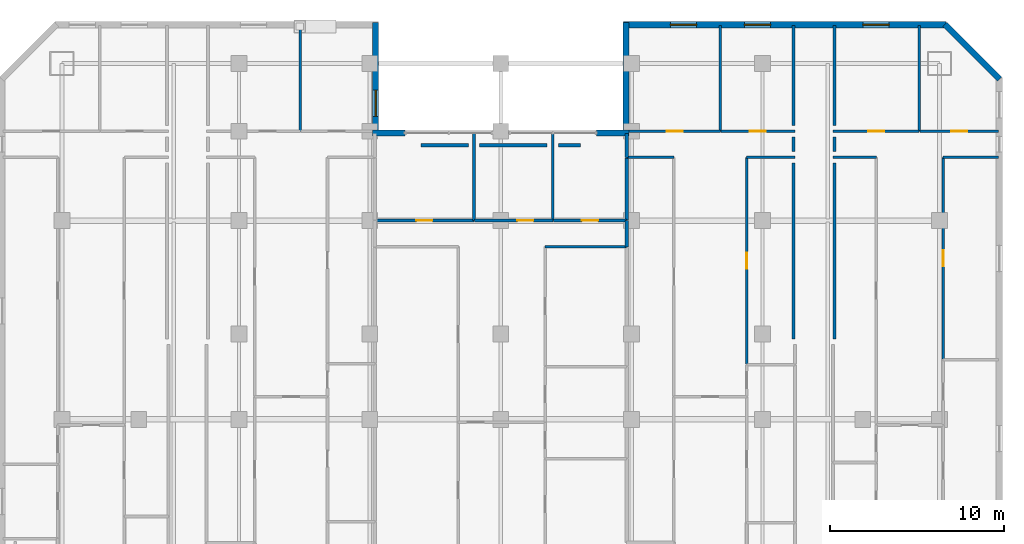
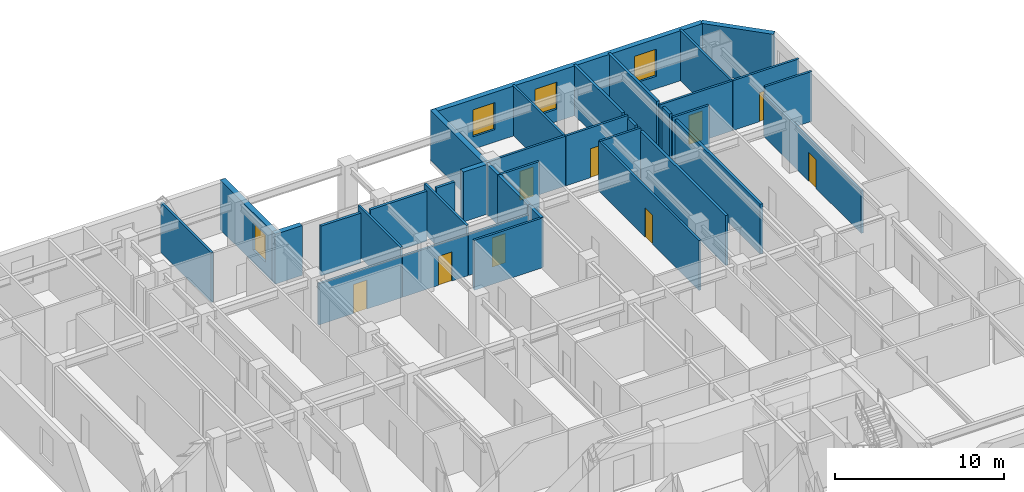
# One storey, part 12 of 14: 37 walls, 9 doors, 4 windows, 13 openings.
"""IFC4 building model written with IfcOpenShell, lengths in metres."""

from ifc_helpers import new_model, si_unit, direction, frame, frame_2d, origin, place, context, subcontext, project, spatial, rectangle, extrude, material, layer, layer_set, type_object, element, fill, save


model = new_model("IFC4")

# Units and contexts
model_context = context("Model", 3, precision=1e-05, world=origin(), true_north=direction((0.0, 1.0)))
body_context = subcontext(model_context, "Body", "Model", "MODEL_VIEW")
ifc_project = project(units=[si_unit("LENGTHUNIT", "METRE"), si_unit("AREAUNIT", "SQUARE_METRE"), si_unit("VOLUMEUNIT", "CUBIC_METRE"), si_unit("PLANEANGLEUNIT", "RADIAN"), si_unit("MASSUNIT", "GRAM", prefix="KILO")], contexts=[model_context])

# Site, building, storey
site_placement = place(None, origin())
site = spatial("IfcSite", under=ifc_project, at=site_placement, CompositionType="ELEMENT")
building_placement = place(site_placement, origin())
building = spatial("IfcBuilding", under=site, at=building_placement, Name="Ventersveld Concourse Tower", CompositionType="ELEMENT")
storey_placement = place(building_placement, frame((0.0, 0.0, 81.050048828125)))
storey = spatial("IfcBuildingStorey", under=building, at=storey_placement, Name="L19", CompositionType="ELEMENT", Elevation=81.050048828125)

# Walls
ifc_material_1 = material(Name="Fire-rated autoclaved aerated masonry blockwork", Category="masonry")
ifc_layer_1 = layer(ifc_material_1, 0.179931640625)
ifc_layer_set_1 = layer_set([ifc_layer_1], Name="Fire-rated autoclaved aerated masonry blockwork")
wall_type_1 = type_object("IfcWallType", Name="WL-CORR-180", PredefinedType="PARTITIONING", material=ifc_layer_set_1)
wall_1_placement = place(storey_placement, frame((47.8798828125, 38.945068359375, 0.0), z_axis=(0.0, 0.0, 1.0), x_axis=(0.0, 1.0, 0.0)))
element("IfcWall", 1, at=wall_1_placement, inside=storey, type_object=wall_type_1, Name="L19 Room Enclosure Wall SP-L19-19NE-LIV", PredefinedType="PARTITIONING", context=body_context, shape_type="SweptSolid", body=[
    extrude(rectangle(XDim=0.849853515625, YDim=0.179931640625, at=frame_2d((0.4248046875, 0.0))), origin(), (0.0, 0.0, 1.0), 3.599853515625),
])
wall_2_placement = place(storey_placement, frame((47.8798828125, 28.2099609375, 0.0), z_axis=(0.0, 0.0, 1.0), x_axis=(0.0, 1.0, 0.0)))
element("IfcWall", 2, at=wall_2_placement, inside=storey, type_object=wall_type_1, Name="L19 Room Enclosure Wall SP-L19-19NE-DENL", PredefinedType="PARTITIONING", context=body_context, shape_type="SweptSolid", body=[
    extrude(rectangle(XDim=10.0849609375, YDim=0.179931640625, at=frame_2d((5.04248046875, 0.0))), origin(), (0.0, 0.0, 1.0), 3.599853515625),
])
wall_3_placement = place(storey_placement, frame((47.8798828125, 40.445068359375, 0.0), z_axis=(0.0, 0.0, 1.0), x_axis=(0.0, 1.0, 0.0)))
element("IfcWall", 3, at=wall_3_placement, inside=storey, type_object=wall_type_1, Name="L19 Room Enclosure Wall SP-L19-19NE-BR1", PredefinedType="PARTITIONING", context=body_context, shape_type="SweptSolid", body=[
    extrude(rectangle(XDim=5.744873046875, YDim=0.179931640625, at=frame_2d((2.87255859375, 0.0))), origin(), (0.0, 0.0, 1.0), 3.599853515625),
])
wall_4_placement = place(storey_placement, frame((45.52001953125, 39.794921875, 0.0), z_axis=(0.0, 0.0, 1.0), x_axis=(0.0, -1.0, 0.0)))
element("IfcWall", 4, at=wall_4_placement, inside=storey, type_object=wall_type_1, Name="L19 Room Enclosure Wall SP-L19-19CE-LIV", PredefinedType="PARTITIONING", context=body_context, shape_type="SweptSolid", body=[
    extrude(rectangle(XDim=0.849853515625, YDim=0.179931640625, at=frame_2d((0.4248046875, 0.0))), origin(), (0.0, 0.0, 1.0), 3.599853515625),
])
wall_5_placement = place(storey_placement, frame((45.52001953125, 38.294921875, 0.0), z_axis=(0.0, 0.0, 1.0), x_axis=(0.0, -1.0, 0.0)))
element("IfcWall", 5, at=wall_5_placement, inside=storey, type_object=wall_type_1, Name="L19 Room Enclosure Wall SP-L19-19CE-DENS", PredefinedType="PARTITIONING", context=body_context, shape_type="SweptSolid", body=[
    extrude(rectangle(XDim=10.0849609375, YDim=0.179931640625, at=frame_2d((5.04248046875, 0.0))), origin(), (0.0, 0.0, 1.0), 3.599853515625),
])
wall_6_placement = place(storey_placement, frame((45.52001953125, 46.18994140625, 0.0), z_axis=(0.0, 0.0, 1.0), x_axis=(0.0, -1.0, 0.0)))
element("IfcWall", 6, at=wall_6_placement, inside=storey, type_object=wall_type_1, Name="L19 Room Enclosure Wall SP-L19-19CE-BR2", PredefinedType="PARTITIONING", context=body_context, shape_type="SweptSolid", body=[
    extrude(rectangle(XDim=5.744873046875, YDim=0.179931640625, at=frame_2d((2.87255859375, 0.0))), origin(), (0.0, 0.0, 1.0), 3.599853515625),
])
wall_7_placement = place(storey_placement, frame((24.1865234375, 39.320068359375, 0.0), z_axis=(0.0, 0.0, 1.0), x_axis=(1.0, 0.0, 0.0)))
element("IfcWall", 7, at=wall_7_placement, inside=storey, type_object=wall_type_1, Name="L19 Room Enclosure Wall SP-L19-19CM-BR1", PredefinedType="PARTITIONING", context=body_context, shape_type="SweptSolid", body=[
    extrude(rectangle(XDim=2.70263671875, YDim=0.179931640625, at=frame_2d((1.351318359375, 0.0))), origin(), (0.0, 0.0, 1.0), 3.599853515625),
])
wall_8_placement = place(storey_placement, frame((27.539306640625, 39.320068359375, 0.0), z_axis=(0.0, 0.0, 1.0), x_axis=(1.0, 0.0, 0.0)))
element("IfcWall", 8, at=wall_8_placement, inside=storey, type_object=wall_type_1, Name="L19 Room Enclosure Wall SP-L19-19CM-BR2", PredefinedType="PARTITIONING", context=body_context, shape_type="SweptSolid", body=[
    extrude(rectangle(XDim=3.867431640625, YDim=0.179931640625, at=frame_2d((1.93359375, 0.0))), origin(), (0.0, 0.0, 1.0), 3.599853515625),
])
wall_9_placement = place(storey_placement, frame((32.056640625, 39.320068359375, 0.0), z_axis=(0.0, 0.0, 1.0), x_axis=(1.0, 0.0, 0.0)))
element("IfcWall", 9, at=wall_9_placement, inside=storey, type_object=wall_type_1, Name="L19 Room Enclosure Wall SP-L19-19CM-BR3", PredefinedType="PARTITIONING", context=body_context, shape_type="SweptSolid", body=[
    extrude(rectangle(XDim=1.2568359375, YDim=0.179931640625, at=frame_2d((0.62841796875, 0.0))), origin(), (0.0, 0.0, 1.0), 3.599853515625),
])
ifc_layer_2 = layer(ifc_material_1, 0.199951171875)
ifc_layer_set_2 = layer_set([ifc_layer_2], Name="Fire-rated autoclaved aerated masonry blockwork")
wall_type_2 = type_object("IfcWallType", Name="WL-DEMISE-200", PredefinedType="PARTITIONING", material=ifc_layer_set_2)
wall_10_placement = place(storey_placement, frame((35.9599609375, 38.614990234375, 0.0), z_axis=(0.0, 0.0, 1.0), x_axis=(0.0, 1.0, 0.0)))
element("IfcWall", 10, at=wall_10_placement, inside=storey, type_object=wall_type_2, Name="L19 Interior Partition SP-L19-19CE-LIV-SP-L19-19CM-BR3", PredefinedType="PARTITIONING", context=body_context, shape_type="SweptSolid", body=[
    extrude(rectangle(XDim=1.375, YDim=0.199951171875, at=frame_2d((0.6875, 0.0))), origin(), (0.0, 0.0, 1.0), 3.599853515625),
])
wall_11_placement = place(storey_placement, frame((35.9599609375, 33.4951171875, 0.0), z_axis=(0.0, 0.0, 1.0), x_axis=(0.0, 1.0, 0.0)))
element("IfcWall", 11, at=wall_11_placement, inside=storey, type_object=wall_type_2, Name="L19 Interior Partition SP-L19-19CE-MEDL0-SP-L19-19CM-LIV", PredefinedType="PARTITIONING", context=body_context, shape_type="SweptSolid", body=[
    extrude(rectangle(XDim=1.509765625, YDim=0.199951171875, at=frame_2d((0.7548828125, 0.0))), origin(), (0.0, 0.0, 1.0), 3.599853515625),
])
wall_12_placement = place(storey_placement, frame((35.9599609375, 35.034912109375, 0.0), z_axis=(0.0, 0.0, 1.0), x_axis=(0.0, 1.0, 0.0)))
element("IfcWall", 12, at=wall_12_placement, inside=storey, type_object=wall_type_2, Name="L19 Interior Partition SP-L19-19CE-MEDL0-SP-L19-19CM-BR3", PredefinedType="PARTITIONING", context=body_context, shape_type="SweptSolid", body=[
    extrude(rectangle(XDim=3.550048828125, YDim=0.199951171875, at=frame_2d((1.77490234375, 0.0))), origin(), (0.0, 0.0, 1.0), 3.599853515625),
])
ifc_material_2 = material(Name="Autoclaved aerated masonry blockwork", Category="masonry")
ifc_layer_3 = layer(ifc_material_2, 0.14990234375)
ifc_layer_set_3 = layer_set([ifc_layer_3], Name="Autoclaved aerated masonry blockwork")
wall_type_3 = type_object("IfcWallType", Name="WL-INT-150", PredefinedType="PARTITIONING", material=ifc_layer_set_3)
wall_13_placement = place(storey_placement, frame((47.784912109375, 38.6201171875, 0.0), z_axis=(0.0, 0.0, 1.0), x_axis=(1.0, 0.0, 0.0)))
element("IfcWall", 13, at=wall_13_placement, inside=storey, type_object=wall_type_3, Name="L19 Interior Partition SP-L19-19NE-LIV-SP-L19-19NE-DENL", PredefinedType="PARTITIONING", context=body_context, shape_type="SweptSolid", body=[
    extrude(rectangle(XDim=2.5029296875, YDim=0.14990234375, at=frame_2d((1.25146484375, 0.0))), origin(), (0.0, 0.0, 1.0), 3.599853515625),
])

# Wall, opening, door
wall_14_placement = place(storey_placement, frame((54.104736328125, 27.06396484375, 0.0), z_axis=(0.0, 0.0, 1.0), x_axis=(0.0, 1.0, 0.0)))
wall_14 = element("IfcWall", 14, at=wall_14_placement, inside=storey, type_object=wall_type_3, Name="L19 Interior Partition SP-L19-19NE-LIV-SP-L19-19NE-DENS", PredefinedType="PARTITIONING", context=body_context, shape_type="SweptSolid", body=[
    extrude(rectangle(XDim=11.56103515625, YDim=0.14990234375, at=frame_2d((5.780517578125, 0.0))), origin(), (0.0, 0.0, 1.0), 3.055419921875),
])
opening_1_placement = place(wall_14_placement, frame((5.320556640625, 0.0, 0.0)))
opening_1 = element("IfcOpeningElement", 15, at=opening_1_placement, cuts=wall_14, Name="Opening ID1", PredefinedType="OPENING", context=body_context, shape_type="SweptSolid", body=[
    extrude(rectangle(XDim=0.919921875, YDim=2.10009765625, at=frame_2d((0.4599609375, 1.050048828125))), frame((0.0, 0.0849609375, 0.0), z_axis=(0.0, -1.0, 0.0), x_axis=(1.0, 0.0, 0.0)), (0.0, 0.0, 1.0), 0.169921875),
])
ifc_material_3 = material(Name="Solid-core hardwood veneer timber", Category="wood")
door_type = type_object("IfcDoorType", Name="DR-ROOM-092", OperationType="NOTDEFINED", PredefinedType="DOOR", material=ifc_material_3)
door_1_placement = place(opening_1_placement, origin())
door_1 = element("IfcDoor", 16, at=door_1_placement, inside=storey, type_object=door_type, Name="L19 Interior Door SP-L19-19NE-LIV to SP-L19-19NE-DENS (D-L19-0908)", OperationType="SINGLE_SWING_RIGHT", OverallHeight=2.10009765625, OverallWidth=0.919921875, PredefinedType="DOOR", context=body_context, shape_type="SweptSolid", body=[
    extrude(rectangle(XDim=0.919921875, YDim=2.10009765625, at=frame_2d((0.4599609375, 1.050048828125))), frame((0.0, 0.02490234375, 0.0), z_axis=(0.0, -1.0, 0.0), x_axis=(1.0, 0.0, 0.0)), (0.0, 0.0, 1.0), 0.050048828125),
])
fill(opening_1, door_1)

# Wall
wall_15_placement = place(storey_placement, frame((54.099853515625, 38.6201171875, 0.0), z_axis=(0.0, 0.0, 1.0), x_axis=(1.0, 0.0, 0.0)))
element("IfcWall", 17, at=wall_15_placement, inside=storey, type_object=wall_type_3, Name="L19 Interior Partition SP-L19-19NE-LIV-SP-L19-19NE-DENS", PredefinedType="PARTITIONING", context=body_context, shape_type="SweptSolid", body=[
    extrude(rectangle(XDim=3.190185546875, YDim=0.14990234375, at=frame_2d((1.59521484375, 0.0))), origin(), (0.0, 0.0, 1.0), 3.599853515625),
])

# Wall, opening, door
wall_16_placement = place(storey_placement, frame((47.784912109375, 40.1201171875, 0.0), z_axis=(0.0, 0.0, 1.0), x_axis=(1.0, 0.0, 0.0)))
wall_16 = element("IfcWall", 18, at=wall_16_placement, inside=storey, type_object=wall_type_3, Name="L19 Interior Partition SP-L19-19NE-LIV-SP-L19-19NE-BR1", PredefinedType="PARTITIONING", context=body_context, shape_type="SweptSolid", body=[
    extrude(rectangle(XDim=4.951171875, YDim=0.14990234375, at=frame_2d((2.4755859375, 0.0))), origin(), (0.0, 0.0, 1.0), 3.599853515625),
])
opening_2_placement = place(wall_16_placement, frame((2.015625, 0.0, 0.0)))
opening_2 = element("IfcOpeningElement", 19, at=opening_2_placement, cuts=wall_16, Name="Opening ID1", PredefinedType="OPENING", context=body_context, shape_type="SweptSolid", body=[
    extrude(rectangle(XDim=0.919921875, YDim=2.10009765625, at=frame_2d((0.4599609375, 1.050048828125))), frame((0.0, 0.0849609375, 0.0), z_axis=(0.0, -1.0, 0.0), x_axis=(1.0, 0.0, 0.0)), (0.0, 0.0, 1.0), 0.169921875),
])
door_2_placement = place(opening_2_placement, origin())
door_2 = element("IfcDoor", 20, at=door_2_placement, inside=storey, type_object=door_type, Name="L19 Interior Door SP-L19-19NE-LIV to SP-L19-19NE-BR1 (D-L19-0909)", OperationType="SINGLE_SWING_LEFT", OverallHeight=2.10009765625, OverallWidth=0.919921875, PredefinedType="DOOR", context=body_context, shape_type="SweptSolid", body=[
    extrude(rectangle(XDim=0.919921875, YDim=2.10009765625, at=frame_2d((0.4599609375, 1.050048828125))), frame((0.0, 0.02490234375, 0.0), z_axis=(0.0, -1.0, 0.0), x_axis=(1.0, 0.0, 0.0)), (0.0, 0.0, 1.0), 0.050048828125),
])
fill(opening_2, door_2)

wall_17_placement = place(storey_placement, frame((52.76611328125, 40.1201171875, 0.0), z_axis=(0.0, 0.0, 1.0), x_axis=(1.0, 0.0, 0.0)))
wall_17 = element("IfcWall", 21, at=wall_17_placement, inside=storey, type_object=wall_type_3, Name="L19 Interior Partition SP-L19-19NE-LIV-SP-L19-19NE-BR2", PredefinedType="PARTITIONING", context=body_context, shape_type="SweptSolid", body=[
    extrude(rectangle(XDim=4.52392578125, YDim=0.14990234375, at=frame_2d((2.261962890625, 0.0))), origin(), (0.0, 0.0, 1.0), 3.599853515625),
])
opening_3_placement = place(wall_17_placement, frame((1.802001953125, 0.0, 0.0)))
opening_3 = element("IfcOpeningElement", 22, at=opening_3_placement, cuts=wall_17, Name="Opening ID1", PredefinedType="OPENING", context=body_context, shape_type="SweptSolid", body=[
    extrude(rectangle(XDim=0.919921875, YDim=2.10009765625, at=frame_2d((0.4599609375, 1.050048828125))), frame((0.0, 0.0849609375, 0.0), z_axis=(0.0, -1.0, 0.0), x_axis=(1.0, 0.0, 0.0)), (0.0, 0.0, 1.0), 0.169921875),
])
door_3_placement = place(opening_3_placement, origin())
door_3 = element("IfcDoor", 23, at=door_3_placement, inside=storey, type_object=door_type, Name="L19 Interior Door SP-L19-19NE-LIV to SP-L19-19NE-BR2 (D-L19-0910)", OperationType="SINGLE_SWING_RIGHT", OverallHeight=2.10009765625, OverallWidth=0.919921875, PredefinedType="DOOR", context=body_context, shape_type="SweptSolid", body=[
    extrude(rectangle(XDim=0.919921875, YDim=2.10009765625, at=frame_2d((0.4599609375, 1.050048828125))), frame((0.0, 0.02490234375, 0.0), z_axis=(0.0, -1.0, 0.0), x_axis=(1.0, 0.0, 0.0)), (0.0, 0.0, 1.0), 0.050048828125),
])
fill(opening_3, door_3)

# Walls
wall_18_placement = place(storey_placement, frame((52.731201171875, 40.114990234375, 0.0), z_axis=(0.0, 0.0, 1.0), x_axis=(0.0, 1.0, 0.0)))
element("IfcWall", 24, at=wall_18_placement, inside=storey, type_object=wall_type_3, Name="L19 Interior Partition SP-L19-19NE-BR1-SP-L19-19NE-BR2", PredefinedType="PARTITIONING", context=body_context, shape_type="SweptSolid", body=[
    extrude(rectangle(XDim=6.074951171875, YDim=0.14990234375, at=frame_2d((3.03759765625, 0.0))), origin(), (0.0, 0.0, 1.0), 3.599853515625),
])
wall_19_placement = place(storey_placement, frame((17.261474609375, 40.114990234375, 0.0), z_axis=(0.0, 0.0, 1.0), x_axis=(0.0, 1.0, 0.0)))
element("IfcWall", 25, at=wall_19_placement, inside=storey, type_object=wall_type_3, Name="L19 Interior Partition SP-L19-19CW-BR1-SP-L19-19CW-BR2", PredefinedType="PARTITIONING", context=body_context, shape_type="SweptSolid", body=[
    extrude(rectangle(XDim=5.987060546875, YDim=0.14990234375, at=frame_2d((2.99365234375, 0.0))), origin(), (0.0, 0.0, 1.0), 3.599853515625),
])
wall_20_placement = place(storey_placement, frame((35.955078125, 38.6201171875, 0.0), z_axis=(0.0, 0.0, 1.0), x_axis=(1.0, 0.0, 0.0)))
element("IfcWall", 26, at=wall_20_placement, inside=storey, type_object=wall_type_3, Name="L19 Interior Partition SP-L19-19CE-LIV-SP-L19-19CE-MEDL0", PredefinedType="PARTITIONING", context=body_context, shape_type="SweptSolid", body=[
    extrude(rectangle(XDim=2.72705078125, YDim=0.14990234375, at=frame_2d((1.363525390625, 0.0))), origin(), (0.0, 0.0, 1.0), 3.599853515625),
])

# Wall, opening, door
wall_21_placement = place(storey_placement, frame((42.853515625, 26.764892578125, 0.0), z_axis=(0.0, 0.0, 1.0), x_axis=(0.0, 1.0, 0.0)))
wall_21 = element("IfcWall", 27, at=wall_21_placement, inside=storey, type_object=wall_type_3, Name="L19 Interior Partition SP-L19-19CE-LIV-SP-L19-19CE-DENS", PredefinedType="PARTITIONING", context=body_context, shape_type="SweptSolid", body=[
    extrude(rectangle(XDim=11.860107421875, YDim=0.14990234375, at=frame_2d((5.93017578125, 0.0))), origin(), (0.0, 0.0, 1.0), 3.599853515625),
])
opening_4_placement = place(wall_21_placement, frame((5.469970703125, 0.0, 0.0)))
opening_4 = element("IfcOpeningElement", 28, at=opening_4_placement, cuts=wall_21, Name="Opening ID1", PredefinedType="OPENING", context=body_context, shape_type="SweptSolid", body=[
    extrude(rectangle(XDim=0.919921875, YDim=2.10009765625, at=frame_2d((0.4599609375, 1.050048828125))), frame((0.0, 0.0849609375, 0.0), z_axis=(0.0, -1.0, 0.0), x_axis=(1.0, 0.0, 0.0)), (0.0, 0.0, 1.0), 0.169921875),
])
door_4_placement = place(opening_4_placement, origin())
door_4 = element("IfcDoor", 29, at=door_4_placement, inside=storey, type_object=door_type, Name="L19 Interior Door SP-L19-19CE-LIV to SP-L19-19CE-DENS (D-L19-0928)", OperationType="SINGLE_SWING_RIGHT", OverallHeight=2.10009765625, OverallWidth=0.919921875, PredefinedType="DOOR", context=body_context, shape_type="SweptSolid", body=[
    extrude(rectangle(XDim=0.919921875, YDim=2.10009765625, at=frame_2d((0.4599609375, 1.050048828125))), frame((0.0, 0.02490234375, 0.0), z_axis=(0.0, -1.0, 0.0), x_axis=(1.0, 0.0, 0.0)), (0.0, 0.0, 1.0), 0.050048828125),
])
fill(opening_4, door_4)

# Wall
wall_22_placement = place(storey_placement, frame((42.848388671875, 38.6201171875, 0.0), z_axis=(0.0, 0.0, 1.0), x_axis=(1.0, 0.0, 0.0)))
element("IfcWall", 30, at=wall_22_placement, inside=storey, type_object=wall_type_3, Name="L19 Interior Partition SP-L19-19CE-LIV-SP-L19-19CE-DENS", PredefinedType="PARTITIONING", context=body_context, shape_type="SweptSolid", body=[
    extrude(rectangle(XDim=2.7666015625, YDim=0.14990234375, at=frame_2d((1.38330078125, 0.0))), origin(), (0.0, 0.0, 1.0), 3.599853515625),
])

# Wall, opening, door
wall_23_placement = place(storey_placement, frame((36.106689453125, 40.1201171875, 0.0), z_axis=(0.0, 0.0, 1.0), x_axis=(1.0, 0.0, 0.0)))
wall_23 = element("IfcWall", 31, at=wall_23_placement, inside=storey, type_object=wall_type_3, Name="L19 Interior Partition SP-L19-19CE-LIV-SP-L19-19CE-BR1", PredefinedType="PARTITIONING", context=body_context, shape_type="SweptSolid", body=[
    extrude(rectangle(XDim=5.229736328125, YDim=0.14990234375, at=frame_2d((2.61474609375, 0.0))), origin(), (0.0, 0.0, 1.0), 3.599853515625),
])
opening_5_placement = place(wall_23_placement, frame((2.15478515625, 0.0, 0.0)))
opening_5 = element("IfcOpeningElement", 32, at=opening_5_placement, cuts=wall_23, Name="Opening ID1", PredefinedType="OPENING", context=body_context, shape_type="SweptSolid", body=[
    extrude(rectangle(XDim=0.919921875, YDim=2.10009765625, at=frame_2d((0.4599609375, 1.050048828125))), frame((0.0, 0.0849609375, 0.0), z_axis=(0.0, -1.0, 0.0), x_axis=(1.0, 0.0, 0.0)), (0.0, 0.0, 1.0), 0.169921875),
])
door_5_placement = place(opening_5_placement, origin())
door_5 = element("IfcDoor", 33, at=door_5_placement, inside=storey, type_object=door_type, Name="L19 Interior Door SP-L19-19CE-LIV to SP-L19-19CE-BR1 (D-L19-0929)", OperationType="SINGLE_SWING_LEFT", OverallHeight=2.10009765625, OverallWidth=0.919921875, PredefinedType="DOOR", context=body_context, shape_type="SweptSolid", body=[
    extrude(rectangle(XDim=0.919921875, YDim=2.10009765625, at=frame_2d((0.4599609375, 1.050048828125))), frame((0.0, 0.02490234375, 0.0), z_axis=(0.0, -1.0, 0.0), x_axis=(1.0, 0.0, 0.0)), (0.0, 0.0, 1.0), 0.050048828125),
])
fill(opening_5, door_5)

wall_24_placement = place(storey_placement, frame((41.366455078125, 40.1201171875, 0.0), z_axis=(0.0, 0.0, 1.0), x_axis=(1.0, 0.0, 0.0)))
wall_24 = element("IfcWall", 34, at=wall_24_placement, inside=storey, type_object=wall_type_3, Name="L19 Interior Partition SP-L19-19CE-LIV-SP-L19-19CE-BR2", PredefinedType="PARTITIONING", context=body_context, shape_type="SweptSolid", body=[
    extrude(rectangle(XDim=4.24853515625, YDim=0.14990234375, at=frame_2d((2.124267578125, 0.0))), origin(), (0.0, 0.0, 1.0), 3.599853515625),
])
opening_6_placement = place(wall_24_placement, frame((1.664306640625, 0.0, 0.0)))
opening_6 = element("IfcOpeningElement", 35, at=opening_6_placement, cuts=wall_24, Name="Opening ID1", PredefinedType="OPENING", context=body_context, shape_type="SweptSolid", body=[
    extrude(rectangle(XDim=0.919921875, YDim=2.10009765625, at=frame_2d((0.4599609375, 1.050048828125))), frame((0.0, 0.0849609375, 0.0), z_axis=(0.0, -1.0, 0.0), x_axis=(1.0, 0.0, 0.0)), (0.0, 0.0, 1.0), 0.169921875),
])
door_6_placement = place(opening_6_placement, origin())
door_6 = element("IfcDoor", 36, at=door_6_placement, inside=storey, type_object=door_type, Name="L19 Interior Door SP-L19-19CE-LIV to SP-L19-19CE-BR2 (D-L19-0930)", OperationType="SINGLE_SWING_RIGHT", OverallHeight=2.10009765625, OverallWidth=0.919921875, PredefinedType="DOOR", context=body_context, shape_type="SweptSolid", body=[
    extrude(rectangle(XDim=0.919921875, YDim=2.10009765625, at=frame_2d((0.4599609375, 1.050048828125))), frame((0.0, 0.02490234375, 0.0), z_axis=(0.0, -1.0, 0.0), x_axis=(1.0, 0.0, 0.0)), (0.0, 0.0, 1.0), 0.050048828125),
])
fill(opening_6, door_6)

# Walls
wall_25_placement = place(storey_placement, frame((41.33154296875, 40.114990234375, 0.0), z_axis=(0.0, 0.0, 1.0), x_axis=(0.0, 1.0, 0.0)))
element("IfcWall", 37, at=wall_25_placement, inside=storey, type_object=wall_type_3, Name="L19 Interior Partition SP-L19-19CE-BR1-SP-L19-19CE-BR2", PredefinedType="PARTITIONING", context=body_context, shape_type="SweptSolid", body=[
    extrude(rectangle(XDim=6.074951171875, YDim=0.14990234375, at=frame_2d((3.03759765625, 0.0))), origin(), (0.0, 0.0, 1.0), 3.599853515625),
])
wall_26_placement = place(storey_placement, frame((31.294189453125, 33.5, 0.0), z_axis=(0.0, 0.0, 1.0), x_axis=(1.0, 0.0, 0.0)))
element("IfcWall", 38, at=wall_26_placement, inside=storey, type_object=wall_type_3, Name="L19 Interior Partition SP-L19-19CM-LIV-SP-L19-19CM-DENS2", PredefinedType="PARTITIONING", context=body_context, shape_type="SweptSolid", body=[
    extrude(rectangle(XDim=4.6708984375, YDim=0.14990234375, at=frame_2d((2.33544921875, 0.0))), origin(), (0.0, 0.0, 1.0), 3.599853515625),
])

# Wall, opening, door
wall_27_placement = place(storey_placement, frame((21.534912109375, 35.0, 0.0), z_axis=(0.0, 0.0, 1.0), x_axis=(1.0, 0.0, 0.0)))
wall_27 = element("IfcWall", 39, at=wall_27_placement, inside=storey, type_object=wall_type_3, Name="L19 Interior Partition SP-L19-19CM-LIV-SP-L19-19CM-BR1", PredefinedType="PARTITIONING", context=body_context, shape_type="SweptSolid", body=[
    extrude(rectangle(XDim=5.684326171875, YDim=0.14990234375, at=frame_2d((2.84228515625, 0.0))), origin(), (0.0, 0.0, 1.0), 2.964111328125),
])
opening_7_placement = place(wall_27_placement, frame((2.382080078125, 0.0, 0.0)))
opening_7 = element("IfcOpeningElement", 40, at=opening_7_placement, cuts=wall_27, Name="Opening ID1", PredefinedType="OPENING", context=body_context, shape_type="SweptSolid", body=[
    extrude(rectangle(XDim=0.919921875, YDim=2.10009765625, at=frame_2d((0.4599609375, 1.050048828125))), frame((0.0, 0.0849609375, 0.0), z_axis=(0.0, -1.0, 0.0), x_axis=(1.0, 0.0, 0.0)), (0.0, 0.0, 1.0), 0.169921875),
])
door_7_placement = place(opening_7_placement, origin())
door_7 = element("IfcDoor", 41, at=door_7_placement, inside=storey, type_object=door_type, Name="L19 Interior Door SP-L19-19CM-LIV to SP-L19-19CM-BR1 (D-L19-0940)", OperationType="SINGLE_SWING_RIGHT", OverallHeight=2.10009765625, OverallWidth=0.919921875, PredefinedType="DOOR", context=body_context, shape_type="SweptSolid", body=[
    extrude(rectangle(XDim=0.919921875, YDim=2.10009765625, at=frame_2d((0.4599609375, 1.050048828125))), frame((0.0, 0.02490234375, 0.0), z_axis=(0.0, -1.0, 0.0), x_axis=(1.0, 0.0, 0.0)), (0.0, 0.0, 1.0), 0.050048828125),
])
fill(opening_7, door_7)

wall_28_placement = place(storey_placement, frame((27.249267578125, 35.0, 0.0), z_axis=(0.0, 0.0, 1.0), x_axis=(1.0, 0.0, 0.0)))
wall_28 = element("IfcWall", 42, at=wall_28_placement, inside=storey, type_object=wall_type_3, Name="L19 Interior Partition SP-L19-19CM-LIV-SP-L19-19CM-BR2", PredefinedType="PARTITIONING", context=body_context, shape_type="SweptSolid", body=[
    extrude(rectangle(XDim=4.487548828125, YDim=0.14990234375, at=frame_2d((2.24365234375, 0.0))), origin(), (0.0, 0.0, 1.0), 2.964111328125),
])
opening_8_placement = place(wall_28_placement, frame((2.456787109375, 0.0, 0.0)))
opening_8 = element("IfcOpeningElement", 43, at=opening_8_placement, cuts=wall_28, Name="Opening ID1", PredefinedType="OPENING", context=body_context, shape_type="SweptSolid", body=[
    extrude(rectangle(XDim=0.919921875, YDim=2.10009765625, at=frame_2d((0.4599609375, 1.050048828125))), frame((0.0, 0.0849609375, 0.0), z_axis=(0.0, -1.0, 0.0), x_axis=(1.0, 0.0, 0.0)), (0.0, 0.0, 1.0), 0.169921875),
])
door_8_placement = place(opening_8_placement, origin())
door_8 = element("IfcDoor", 44, at=door_8_placement, inside=storey, type_object=door_type, Name="L19 Interior Door SP-L19-19CM-LIV to SP-L19-19CM-BR2 (D-L19-0941)", OperationType="SINGLE_SWING_LEFT", OverallHeight=2.10009765625, OverallWidth=0.919921875, PredefinedType="DOOR", context=body_context, shape_type="SweptSolid", body=[
    extrude(rectangle(XDim=0.919921875, YDim=2.10009765625, at=frame_2d((0.4599609375, 1.050048828125))), frame((0.0, 0.02490234375, 0.0), z_axis=(0.0, -1.0, 0.0), x_axis=(1.0, 0.0, 0.0)), (0.0, 0.0, 1.0), 0.050048828125),
])
fill(opening_8, door_8)

wall_29_placement = place(storey_placement, frame((31.7666015625, 35.0, 0.0), z_axis=(0.0, 0.0, 1.0), x_axis=(1.0, 0.0, 0.0)))
wall_29 = element("IfcWall", 45, at=wall_29_placement, inside=storey, type_object=wall_type_3, Name="L19 Interior Partition SP-L19-19CM-LIV-SP-L19-19CM-BR3", PredefinedType="PARTITIONING", context=body_context, shape_type="SweptSolid", body=[
    extrude(rectangle(XDim=4.198486328125, YDim=0.14990234375, at=frame_2d((2.09912109375, 0.0))), origin(), (0.0, 0.0, 1.0), 2.964111328125),
])
opening_9_placement = place(wall_29_placement, frame((1.63916015625, 0.0, 0.0)))
opening_9 = element("IfcOpeningElement", 46, at=opening_9_placement, cuts=wall_29, Name="Opening ID1", PredefinedType="OPENING", context=body_context, shape_type="SweptSolid", body=[
    extrude(rectangle(XDim=0.919921875, YDim=2.10009765625, at=frame_2d((0.4599609375, 1.050048828125))), frame((0.0, 0.0849609375, 0.0), z_axis=(0.0, -1.0, 0.0), x_axis=(1.0, 0.0, 0.0)), (0.0, 0.0, 1.0), 0.169921875),
])
door_9_placement = place(opening_9_placement, origin())
door_9 = element("IfcDoor", 47, at=door_9_placement, inside=storey, type_object=door_type, Name="L19 Interior Door SP-L19-19CM-LIV to SP-L19-19CM-BR3 (D-L19-0942)", OperationType="SINGLE_SWING_RIGHT", OverallHeight=2.10009765625, OverallWidth=0.919921875, PredefinedType="DOOR", context=body_context, shape_type="SweptSolid", body=[
    extrude(rectangle(XDim=0.919921875, YDim=2.10009765625, at=frame_2d((0.4599609375, 1.050048828125))), frame((0.0, 0.02490234375, 0.0), z_axis=(0.0, -1.0, 0.0), x_axis=(1.0, 0.0, 0.0)), (0.0, 0.0, 1.0), 0.050048828125),
])
fill(opening_9, door_9)

# Walls
wall_30_placement = place(storey_placement, frame((27.214111328125, 34.9951171875, 0.0), z_axis=(0.0, 0.0, 1.0), x_axis=(0.0, 1.0, 0.0)))
element("IfcWall", 48, at=wall_30_placement, inside=storey, type_object=wall_type_3, Name="L19 Interior Partition SP-L19-19CM-BR1-SP-L19-19CM-BR2", PredefinedType="PARTITIONING", context=body_context, shape_type="SweptSolid", body=[
    extrude(rectangle(XDim=5.011962890625, YDim=0.14990234375, at=frame_2d((2.505859375, 0.0))), origin(), (0.0, 0.0, 1.0), 3.599853515625),
])
wall_31_placement = place(storey_placement, frame((31.731689453125, 34.9951171875, 0.0), z_axis=(0.0, 0.0, 1.0), x_axis=(0.0, 1.0, 0.0)))
element("IfcWall", 49, at=wall_31_placement, inside=storey, type_object=wall_type_3, Name="L19 Interior Partition SP-L19-19CM-BR2-SP-L19-19CM-BR3", PredefinedType="PARTITIONING", context=body_context, shape_type="SweptSolid", body=[
    extrude(rectangle(XDim=5.00634765625, YDim=0.14990234375, at=frame_2d((2.503173828125, 0.0))), origin(), (0.0, 0.0, 1.0), 3.599853515625),
])
ifc_material_4 = material(Name="Precast concrete C45/55", Category="concrete")
ifc_layer_4 = layer(ifc_material_4, 0.35009765625)
ifc_layer_set_4 = layer_set([ifc_layer_4], Name="Precast concrete C45/55")
wall_type_4 = type_object("IfcWallType", Name="WL-PREC-350", PredefinedType="SOLIDWALL", material=ifc_layer_set_4)
wall_32_placement = place(storey_placement, frame((57.347900390625, 43.1044921875, 0.0), z_axis=(0.0, 0.0, 1.0), x_axis=(-0.707079321262, 0.707134240044, 0.0)))
element("IfcWall", 50, at=wall_32_placement, inside=storey, type_object=wall_type_4, Name="L19 Highveld Precast Facade Wall E04", PredefinedType="SOLIDWALL", context=body_context, shape_type="SweptSolid", body=[
    extrude(rectangle(XDim=4.445556640625, YDim=0.35009765625, at=frame_2d((2.22265625, 0.0))), origin(), (0.0, 0.0, 1.0), 3.599853515625),
])

# Wall, openings, windows
wall_33_placement = place(storey_placement, frame((54.260009765625, 46.22509765625, 0.0), z_axis=(0.0, 0.0, 1.0), x_axis=(-1.0, 0.0, 0.0)))
wall_33 = element("IfcWall", 51, at=wall_33_placement, inside=storey, type_object=wall_type_4, Name="L19 Highveld Precast Facade Wall E05", PredefinedType="SOLIDWALL", context=body_context, shape_type="SweptSolid", body=[
    extrude(rectangle(XDim=18.469970703125, YDim=0.35009765625, at=frame_2d((9.23486328125, 0.0))), origin(), (0.0, 0.0, 1.0), 3.599853515625),
])
opening_10_placement = place(wall_33_placement, frame((3.24951171875, 0.0, 0.89990234375)))
opening_10 = element("IfcOpeningElement", 52, at=opening_10_placement, cuts=wall_33, Name="Opening W1", PredefinedType="OPENING", context=body_context, shape_type="SweptSolid", body=[
    extrude(rectangle(XDim=1.5, YDim=1.949951171875, at=frame_2d((0.75, 0.97509765625))), frame((0.0, 0.18505859375, 0.0), z_axis=(0.0, -1.0, 0.0), x_axis=(1.0, 0.0, 0.0)), (0.0, 0.0, 1.0), 0.3701171875),
])
opening_11_placement = place(wall_33_placement, frame((14.28173828125, 0.0, 0.89990234375)))
opening_11 = element("IfcOpeningElement", 53, at=opening_11_placement, cuts=wall_33, Name="Opening W1", PredefinedType="OPENING", context=body_context, shape_type="SweptSolid", body=[
    extrude(rectangle(XDim=1.5, YDim=1.949951171875, at=frame_2d((0.75, 0.97509765625))), frame((0.0, 0.18505859375, 0.0), z_axis=(0.0, -1.0, 0.0), x_axis=(1.0, 0.0, 0.0)), (0.0, 0.0, 1.0), 0.3701171875),
])
opening_12_placement = place(wall_33_placement, frame((10.039306640625, 0.0, 0.89990234375)))
opening_12 = element("IfcOpeningElement", 54, at=opening_12_placement, cuts=wall_33, Name="Opening W1", PredefinedType="OPENING", context=body_context, shape_type="SweptSolid", body=[
    extrude(rectangle(XDim=1.5, YDim=1.949951171875, at=frame_2d((0.75, 0.97509765625))), frame((0.0, 0.18505859375, 0.0), z_axis=(0.0, -1.0, 0.0), x_axis=(1.0, 0.0, 0.0)), (0.0, 0.0, 1.0), 0.3701171875),
])
ifc_material_5 = material(Name="Tempered acoustic Low-E IGU", Category="glass")
window_type = type_object("IfcWindowType", Name="WIN-150x210", PartitioningType="SINGLE_PANEL", PredefinedType="WINDOW", material=ifc_material_5)
window_1_placement = place(opening_10_placement, origin())
window_1 = element("IfcWindow", 55, at=window_1_placement, inside=storey, type_object=window_type, Name="L19 Punched Low-E Window W-0200", OverallHeight=1.949951171875, OverallWidth=1.5, PartitioningType="SINGLE_PANEL", PredefinedType="WINDOW", context=body_context, shape_type="SweptSolid", body=[
    extrude(rectangle(XDim=1.5, YDim=1.949951171875, at=frame_2d((0.75, 0.97509765625))), frame((0.0, 0.030029296875, 0.0), z_axis=(0.0, -1.0, 0.0), x_axis=(1.0, 0.0, 0.0)), (0.0, 0.0, 1.0), 0.06005859375),
])
fill(opening_10, window_1)
window_2_placement = place(opening_11_placement, origin())
window_2 = element("IfcWindow", 56, at=window_2_placement, inside=storey, type_object=window_type, Name="L19 Punched Low-E Window W-0204", OverallHeight=1.949951171875, OverallWidth=1.5, PartitioningType="SINGLE_PANEL", PredefinedType="WINDOW", context=body_context, shape_type="SweptSolid", body=[
    extrude(rectangle(XDim=1.5, YDim=1.949951171875, at=frame_2d((0.75, 0.97509765625))), frame((0.0, 0.030029296875, 0.0), z_axis=(0.0, -1.0, 0.0), x_axis=(1.0, 0.0, 0.0)), (0.0, 0.0, 1.0), 0.06005859375),
])
fill(opening_11, window_2)
window_3_placement = place(opening_12_placement, origin())
window_3 = element("IfcWindow", 57, at=window_3_placement, inside=storey, type_object=window_type, Name="L19 Punched Low-E Window W-0205", OverallHeight=1.949951171875, OverallWidth=1.5, PartitioningType="SINGLE_PANEL", PredefinedType="WINDOW", context=body_context, shape_type="SweptSolid", body=[
    extrude(rectangle(XDim=1.5, YDim=1.949951171875, at=frame_2d((0.75, 0.97509765625))), frame((0.0, 0.030029296875, 0.0), z_axis=(0.0, -1.0, 0.0), x_axis=(1.0, 0.0, 0.0)), (0.0, 0.0, 1.0), 0.06005859375),
])
fill(opening_12, window_3)

# Walls
wall_34_placement = place(storey_placement, frame((35.925048828125, 46.360107421875, 0.0), z_axis=(0.0, 0.0, 1.0), x_axis=(0.0, -1.0, 0.0)))
element("IfcWall", 58, at=wall_34_placement, inside=storey, type_object=wall_type_4, Name="L19 Highveld Precast Facade Wall E06", PredefinedType="SOLIDWALL", context=body_context, shape_type="SweptSolid", body=[
    extrude(rectangle(XDim=6.16015625, YDim=0.35009765625, at=frame_2d((3.080078125, 0.0))), origin(), (0.0, 0.0, 1.0), 3.599853515625),
])
for number, where, z_axis, x_axis, name in (
    (59, (21.39990234375, 40.02490234375, 0.0), (0.0, 0.0, 1.0), (1.0, 0.0, 0.0), "L19 Sky Garden West Pier"),
    (60, (34.25, 40.02490234375, 0.0), (0.0, 0.0, 1.0), (1.0, 0.0, 0.0), "L19 Sky Garden East Pier"),
):
    element("IfcWall", number, at=place(storey_placement, frame(where, z_axis=z_axis, x_axis=x_axis)), inside=storey, type_object=wall_type_4, Name=name, PredefinedType="SOLIDWALL", context=body_context, shape_type="SweptSolid", body=[
        extrude(rectangle(XDim=1.85009765625, YDim=0.35009765625, at=frame_2d((0.925048828125, 0.0))), origin(), (0.0, 0.0, 1.0), 3.599853515625),
    ])

# Wall, opening, window
wall_35_placement = place(storey_placement, frame((21.574951171875, 40.199951171875, 0.0), z_axis=(0.0, 0.0, 1.0), x_axis=(0.0, 1.0, 0.0)))
wall_35 = element("IfcWall", 61, at=wall_35_placement, inside=storey, type_object=wall_type_4, Name="L19 Highveld Precast Facade Wall E08", PredefinedType="SOLIDWALL", context=body_context, shape_type="SweptSolid", body=[
    extrude(rectangle(XDim=6.16015625, YDim=0.35009765625, at=frame_2d((3.080078125, 0.0))), origin(), (0.0, 0.0, 1.0), 3.599853515625),
])
opening_13_placement = place(wall_35_placement, frame((0.77001953125, 0.0, 0.89990234375)))
opening_13 = element("IfcOpeningElement", 62, at=opening_13_placement, cuts=wall_35, Name="Opening W1", PredefinedType="OPENING", context=body_context, shape_type="SweptSolid", body=[
    extrude(rectangle(XDim=1.5, YDim=1.949951171875, at=frame_2d((0.75, 0.97509765625))), frame((0.0, 0.18505859375, 0.0), z_axis=(0.0, -1.0, 0.0), x_axis=(1.0, 0.0, 0.0)), (0.0, 0.0, 1.0), 0.3701171875),
])
window_4_placement = place(opening_13_placement, origin())
window_4 = element("IfcWindow", 63, at=window_4_placement, inside=storey, type_object=window_type, Name="L19 Punched Low-E Window W-0203", OverallHeight=1.949951171875, OverallWidth=1.5, PartitioningType="SINGLE_PANEL", PredefinedType="WINDOW", context=body_context, shape_type="SweptSolid", body=[
    extrude(rectangle(XDim=1.5, YDim=1.949951171875, at=frame_2d((0.75, 0.97509765625))), frame((0.0, 0.030029296875, 0.0), z_axis=(0.0, -1.0, 0.0), x_axis=(1.0, 0.0, 0.0)), (0.0, 0.0, 1.0), 0.06005859375),
])
fill(opening_13, window_4)

save(model, "model.ifc")
